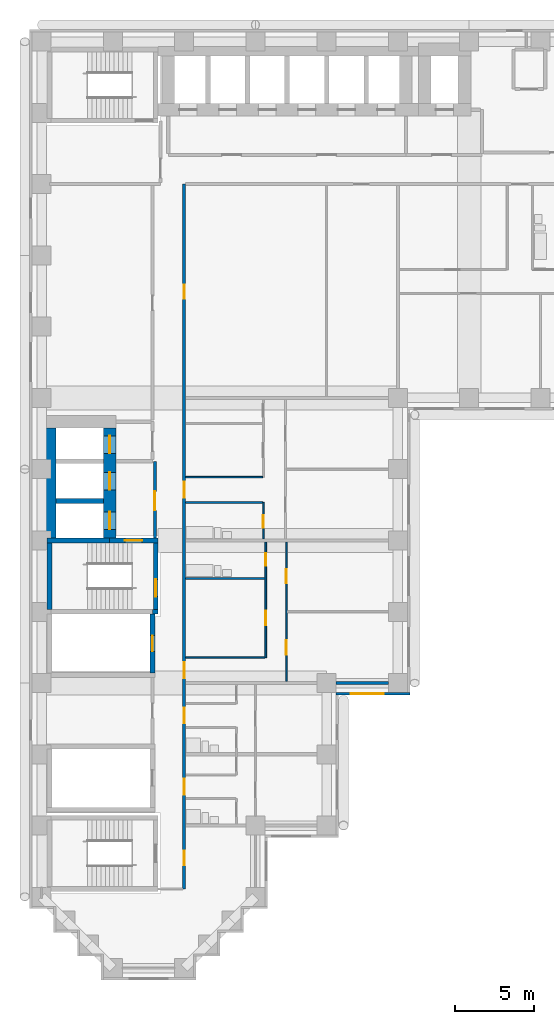
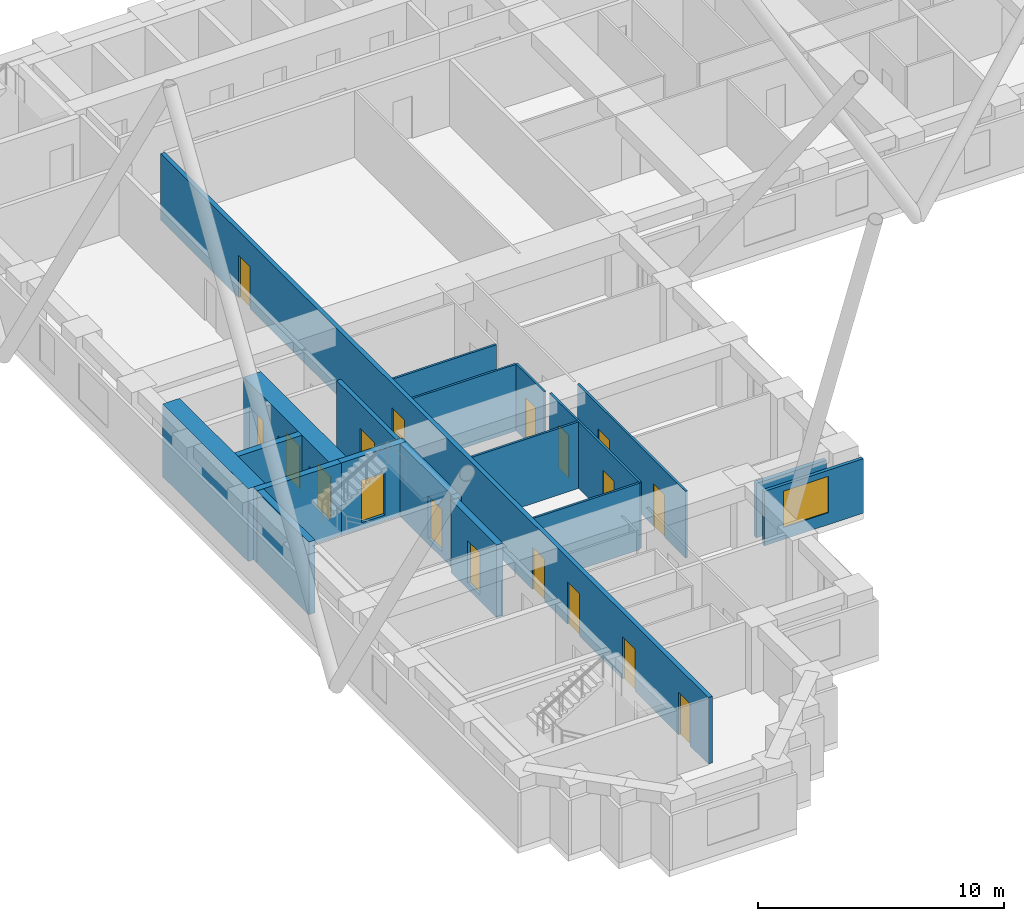
# One storey, part 9 of 20: 20 walls, 18 doors, 1 window, 19 openings.
"""IFC4 building model written with IfcOpenShell, lengths in metres."""

from ifc_helpers import new_model, si_unit, direction, frame, frame_2d, origin, place, context, subcontext, project, spatial, rectangle, extrude, material, layer, layer_set, type_object, element, fill, save


model = new_model("IFC4")

# Units and contexts
model_context = context("Model", 3, precision=1e-05, world=origin(), true_north=direction((0.0, 1.0)))
body_context = subcontext(model_context, "Body", "Model", "MODEL_VIEW")
ifc_project = project(units=[si_unit("LENGTHUNIT", "METRE"), si_unit("AREAUNIT", "SQUARE_METRE"), si_unit("VOLUMEUNIT", "CUBIC_METRE"), si_unit("PLANEANGLEUNIT", "RADIAN"), si_unit("MASSUNIT", "GRAM", prefix="KILO")], contexts=[model_context])

# Site, building, storey
site_placement = place(None, origin())
site = spatial("IfcSite", under=ifc_project, at=site_placement, CompositionType="ELEMENT")
building_placement = place(site_placement, origin())
building = spatial("IfcBuilding", under=site, at=building_placement, Name="Firuza Court", CompositionType="ELEMENT")
storey_placement = place(building_placement, frame((0.0, 0.0, 29.0)))
storey = spatial("IfcBuildingStorey", under=building, at=storey_placement, Name="L05", CompositionType="ELEMENT", Elevation=29.0)

# Walls
ifc_material_1 = material(Name="Moisture-resistant gypsum board partition")
ifc_layer_1 = layer(ifc_material_1, 0.10009765625)
ifc_layer_set_1 = layer_set([ifc_layer_1], Name="Moisture-resistant gypsum board partition")
wall_type_1 = type_object("IfcWallType", Name="Bathroom partition 100", PredefinedType="PLUMBINGWALL", material=ifc_layer_set_1)
wall_1_placement = place(storey_placement, frame((9.10009765625, 24.60009765625, 0.0), z_axis=(0.0, 0.0, 1.0), x_axis=(1.0, 0.0, 0.0)))
element("IfcWall", 1, at=wall_1_placement, inside=storey, type_object=wall_type_1, Name="Bathroom partition 100 L05", PredefinedType="PLUMBINGWALL", context=body_context, shape_type="SweptSolid", body=[
    extrude(rectangle(XDim=5.0, YDim=0.10009765625, at=frame_2d((2.5, 0.0))), origin(), (0.0, 0.0, 1.0), 3.300048828125),
])
wall_2_placement = place(storey_placement, frame((9.10009765625, 29.39990234375, 0.0), z_axis=(0.0, 0.0, 1.0), x_axis=(1.0, 0.0, 0.0)))
element("IfcWall", 2, at=wall_2_placement, inside=storey, type_object=wall_type_1, Name="Bathroom partition 100 L05", PredefinedType="PLUMBINGWALL", context=body_context, shape_type="SweptSolid", body=[
    extrude(rectangle(XDim=4.849853515625, YDim=0.10009765625, at=frame_2d((2.4248046875, 0.0))), origin(), (0.0, 0.0, 1.0), 3.300048828125),
])
ifc_material_2 = material(Name="Concrete C60/75", Category="concrete")
ifc_layer_2 = layer(ifc_material_2, 0.300048828125)
ifc_layer_set_2 = layer_set([ifc_layer_2], Name="Concrete C60/75")
wall_type_2 = type_object("IfcWallType", Name="Core wall 300 C60/75", PredefinedType="SHEAR", material=ifc_layer_set_2)
wall_3_placement = place(storey_placement, frame((0.35009765625, 27.0, -0.300048828125), z_axis=(0.0, 0.0, 1.0), x_axis=(1.0, 0.0, 0.0)))
element("IfcWall", 3, at=wall_3_placement, inside=storey, type_object=wall_type_2, Name="Core wall lift shaft L05", PredefinedType="SHEAR", context=body_context, shape_type="SweptSolid", body=[
    extrude(rectangle(XDim=3.949951171875, YDim=0.300048828125, at=frame_2d((1.97509765625, 0.0))), origin(), (0.0, 0.0, 1.0), 3.60009765625),
])
wall_4_placement = place(storey_placement, frame((0.5, 22.64990234375, -0.300048828125), z_axis=(0.0, 0.0, 1.0), x_axis=(0.0, 1.0, 0.0)))
element("IfcWall", 4, at=wall_4_placement, inside=storey, type_object=wall_type_2, Name="Core wall stair L05", PredefinedType="SHEAR", context=body_context, shape_type="SweptSolid", body=[
    extrude(rectangle(XDim=4.2001953125, YDim=0.300048828125, at=frame_2d((2.10009765625, 0.0))), origin(), (0.0, 0.0, 1.0), 3.60009765625),
])
wall_5_placement = place(storey_placement, frame((0.89990234375, 29.5, -0.300048828125), z_axis=(0.0, 0.0, 1.0), x_axis=(1.0, 0.0, 0.0)))
element("IfcWall", 5, at=wall_5_placement, inside=storey, type_object=wall_type_2, Name="Core wall lift shaft L05", PredefinedType="SHEAR", context=body_context, shape_type="SweptSolid", body=[
    extrude(rectangle(XDim=3.0, YDim=0.300048828125, at=frame_2d((1.5, 0.0))), origin(), (0.0, 0.0, 1.0), 3.60009765625),
])

# Wall, opening, door
wall_6_placement = place(storey_placement, frame((4.300048828125, 27.0, -0.300048828125), z_axis=(0.0, 0.0, 1.0), x_axis=(1.0, 0.0, 0.0)))
wall_6 = element("IfcWall", 6, at=wall_6_placement, inside=storey, type_object=wall_type_2, Name="Core wall stair L05", PredefinedType="SHEAR", context=body_context, shape_type="SweptSolid", body=[
    extrude(rectangle(XDim=3.050048828125, YDim=0.300048828125, at=frame_2d((1.52490234375, 0.0))), origin(), (0.0, 0.0, 1.0), 3.60009765625),
])
opening_1_placement = place(wall_6_placement, frame((0.949951171875, 0.0, 0.300048828125)))
opening_1 = element("IfcOpeningElement", 7, at=opening_1_placement, cuts=wall_6, Name="Opening D05014", PredefinedType="OPENING", context=body_context, shape_type="SweptSolid", body=[
    extrude(rectangle(XDim=1.10009765625, YDim=2.10009765625, at=frame_2d((0.550048828125, 1.050048828125))), frame((0.0, 0.162109375, 0.0), z_axis=(0.0, -1.0, 0.0), x_axis=(1.0, 0.0, 0.0)), (0.0, 0.0, 1.0), 0.323974609375),
])
ifc_material_3 = material(Name="Timber door leaf in hardwood frame", Category="wood")
door_type_1 = type_object("IfcDoorType", Name="Stair door 1100", OperationType="SINGLE_SWING_LEFT", PredefinedType="DOOR", material=ifc_material_3)
door_1_placement = place(opening_1_placement, frame((1.10009765625, 0.0, 0.0), z_axis=(0.0, 0.0, 1.0), x_axis=(-1.0, 0.0, 0.0)))
door_1 = element("IfcDoor", 8, at=door_1_placement, inside=storey, type_object=door_type_1, Name="Fire-fighting lobby door", OperationType="SINGLE_SWING_LEFT", OverallHeight=2.10009765625, OverallWidth=1.10009765625, PredefinedType="DOOR", context=body_context, shape_type="SweptSolid", body=[
    extrude(rectangle(XDim=1.10009765625, YDim=2.10009765625, at=frame_2d((0.550048828125, 1.050048828125))), frame((0.0, 0.02490234375, 0.0), z_axis=(0.0, -1.0, 0.0), x_axis=(1.0, 0.0, 0.0)), (0.0, 0.0, 1.0), 0.050048828125),
])
fill(opening_1, door_1)

wall_7_placement = place(storey_placement, frame((7.0, 18.64990234375, -0.300048828125), z_axis=(0.0, 0.0, 1.0), x_axis=(0.0, 1.0, 0.0)))
wall_7 = element("IfcWall", 9, at=wall_7_placement, inside=storey, type_object=wall_type_2, Name="Core wall riser L05", PredefinedType="SHEAR", context=body_context, shape_type="SweptSolid", body=[
    extrude(rectangle(XDim=3.7001953125, YDim=0.300048828125, at=frame_2d((1.85009765625, 0.0))), origin(), (0.0, 0.0, 1.0), 3.60009765625),
])
opening_2_placement = place(wall_7_placement, frame((1.35009765625, 0.0, 0.300048828125)))
opening_2 = element("IfcOpeningElement", 10, at=opening_2_placement, cuts=wall_7, Name="Opening D05010", PredefinedType="OPENING", context=body_context, shape_type="SweptSolid", body=[
    extrude(rectangle(XDim=1.0, YDim=2.10009765625, at=frame_2d((0.5, 1.050048828125))), frame((0.0, 0.162109375, 0.0), z_axis=(0.0, -1.0, 0.0), x_axis=(1.0, 0.0, 0.0)), (0.0, 0.0, 1.0), 0.323974609375),
])
ifc_material_4 = material(Name="Timber door leaf in hardwood frame", Category="wood")
door_type_2 = type_object("IfcDoorType", Name="Riser door 1000", OperationType="SINGLE_SWING_LEFT", PredefinedType="DOOR", material=ifc_material_4)
door_2_placement = place(opening_2_placement, origin())
door_2 = element("IfcDoor", 11, at=door_2_placement, inside=storey, type_object=door_type_2, Name="Riser door R1", OperationType="SINGLE_SWING_LEFT", OverallHeight=2.10009765625, OverallWidth=1.0, PredefinedType="DOOR", context=body_context, shape_type="SweptSolid", body=[
    extrude(rectangle(XDim=1.0, YDim=2.10009765625, at=frame_2d((0.5, 1.050048828125))), frame((0.0, 0.02490234375, 0.0), z_axis=(0.0, -1.0, 0.0), x_axis=(1.0, 0.0, 0.0)), (0.0, 0.0, 1.0), 0.050048828125),
])
fill(opening_2, door_2)

# Wall
wall_8_placement = place(storey_placement, frame((7.0, 22.5, -0.300048828125), z_axis=(0.0, 0.0, 1.0), x_axis=(1.0, 0.0, 0.0)))
element("IfcWall", 12, at=wall_8_placement, inside=storey, type_object=wall_type_2, Name="Core wall stair L05", PredefinedType="SHEAR", context=body_context, shape_type="SweptSolid", body=[
    extrude(rectangle(XDim=0.35009765625, YDim=0.300048828125, at=frame_2d((0.175048828125, 0.0))), origin(), (0.0, 0.0, 1.0), 3.60009765625),
])

# Wall, opening, door
wall_9_placement = place(storey_placement, frame((7.199951171875, 22.64990234375, -0.300048828125), z_axis=(0.0, 0.0, 1.0), x_axis=(0.0, 1.0, 0.0)))
wall_9 = element("IfcWall", 13, at=wall_9_placement, inside=storey, type_object=wall_type_2, Name="Core wall stair L05", PredefinedType="SHEAR", context=body_context, shape_type="SweptSolid", body=[
    extrude(rectangle(XDim=4.2001953125, YDim=0.300048828125, at=frame_2d((2.10009765625, 0.0))), origin(), (0.0, 0.0, 1.0), 3.60009765625),
])
opening_3_placement = place(wall_9_placement, frame((0.800048828125, 0.0, 0.300048828125)))
opening_3 = element("IfcOpeningElement", 14, at=opening_3_placement, cuts=wall_9, Name="Opening D05015", PredefinedType="OPENING", context=body_context, shape_type="SweptSolid", body=[
    extrude(rectangle(XDim=1.10009765625, YDim=2.10009765625, at=frame_2d((0.550048828125, 1.050048828125))), frame((0.0, 0.162109375, 0.0), z_axis=(0.0, -1.0, 0.0), x_axis=(1.0, 0.0, 0.0)), (0.0, 0.0, 1.0), 0.323974609375),
])
door_3_placement = place(opening_3_placement, origin())
door_3 = element("IfcDoor", 15, at=door_3_placement, inside=storey, type_object=door_type_1, Name="Stair door S2", OperationType="SINGLE_SWING_LEFT", OverallHeight=2.10009765625, OverallWidth=1.10009765625, PredefinedType="DOOR", context=body_context, shape_type="SweptSolid", body=[
    extrude(rectangle(XDim=1.10009765625, YDim=2.10009765625, at=frame_2d((0.550048828125, 1.050048828125))), frame((0.0, 0.02490234375, 0.0), z_axis=(0.0, -1.0, 0.0), x_axis=(1.0, 0.0, 0.0)), (0.0, 0.0, 1.0), 0.050048828125),
])
fill(opening_3, door_3)

# Wall
ifc_layer_3 = layer(ifc_material_2, 0.800048828125)
ifc_layer_set_3 = layer_set([ifc_layer_3], Name="Concrete C60/75")
wall_type_3 = type_object("IfcWallType", Name="Core wall 800 C60/75", PredefinedType="SHEAR", material=ifc_layer_set_3)
wall_10_placement = place(storey_placement, frame((0.5, 27.14990234375, -0.300048828125), z_axis=(0.0, 0.0, 1.0), x_axis=(0.0, 1.0, 0.0)))
element("IfcWall", 16, at=wall_10_placement, inside=storey, type_object=wall_type_3, Name="Core wall lift shaft L05", PredefinedType="SHEAR", context=body_context, shape_type="SweptSolid", body=[
    extrude(rectangle(XDim=6.9501953125, YDim=0.800048828125, at=frame_2d((3.47509765625, 0.0))), origin(), (0.0, 0.0, 1.0), 3.60009765625),
])

# Wall, openings, doors
wall_11_placement = place(storey_placement, frame((4.300048828125, 27.14990234375, -0.300048828125), z_axis=(0.0, 0.0, 1.0), x_axis=(0.0, 1.0, 0.0)))
wall_11 = element("IfcWall", 17, at=wall_11_placement, inside=storey, type_object=wall_type_3, Name="Core wall lift shaft L05", PredefinedType="SHEAR", context=body_context, shape_type="SweptSolid", body=[
    extrude(rectangle(XDim=6.9501953125, YDim=0.800048828125, at=frame_2d((3.47509765625, 0.0))), origin(), (0.0, 0.0, 1.0), 3.60009765625),
])
opening_4_placement = place(wall_11_placement, frame((3.050048828125, 0.0, 0.300048828125)))
opening_4 = element("IfcOpeningElement", 18, at=opening_4_placement, cuts=wall_11, Name="Opening LD-FL1-05", PredefinedType="OPENING", context=body_context, shape_type="SweptSolid", body=[
    extrude(rectangle(XDim=1.10009765625, YDim=2.10009765625, at=frame_2d((0.550048828125, 1.050048828125))), frame((0.0, 0.412109375, 0.0), z_axis=(0.0, -1.0, 0.0), x_axis=(1.0, 0.0, 0.0)), (0.0, 0.0, 1.0), 0.823974609375),
])
opening_5_placement = place(wall_11_placement, frame((0.550048828125, 0.0, 0.300048828125)))
opening_5 = element("IfcOpeningElement", 19, at=opening_5_placement, cuts=wall_11, Name="Opening LD-FL2-05", PredefinedType="OPENING", context=body_context, shape_type="SweptSolid", body=[
    extrude(rectangle(XDim=1.10009765625, YDim=2.10009765625, at=frame_2d((0.550048828125, 1.050048828125))), frame((0.0, 0.412109375, 0.0), z_axis=(0.0, -1.0, 0.0), x_axis=(1.0, 0.0, 0.0)), (0.0, 0.0, 1.0), 0.823974609375),
])
opening_6_placement = place(wall_11_placement, frame((5.35009765625, 0.0, 0.300048828125)))
opening_6 = element("IfcOpeningElement", 20, at=opening_6_placement, cuts=wall_11, Name="Opening LD-SL1-05", PredefinedType="OPENING", context=body_context, shape_type="SweptSolid", body=[
    extrude(rectangle(XDim=1.10009765625, YDim=2.10009765625, at=frame_2d((0.550048828125, 1.050048828125))), frame((0.0, 0.412109375, 0.0), z_axis=(0.0, -1.0, 0.0), x_axis=(1.0, 0.0, 0.0)), (0.0, 0.0, 1.0), 0.823974609375),
])
ifc_material_5 = material(Name="Stainless steel 1.4301 door leaf", Category="steel")
door_type_3 = type_object("IfcDoorType", Name="Lift landing door 1100", OperationType="SLIDING_TO_LEFT", PredefinedType="DOOR", material=ifc_material_5)
door_4_placement = place(opening_4_placement, origin())
door_4 = element("IfcDoor", 21, at=door_4_placement, inside=storey, type_object=door_type_3, Name="Landing door FL1", OperationType="SLIDING_TO_LEFT", OverallHeight=2.10009765625, OverallWidth=1.10009765625, PredefinedType="DOOR", context=body_context, shape_type="SweptSolid", body=[
    extrude(rectangle(XDim=1.10009765625, YDim=2.10009765625, at=frame_2d((0.550048828125, 1.050048828125))), frame((0.0, 0.02490234375, 0.0), z_axis=(0.0, -1.0, 0.0), x_axis=(1.0, 0.0, 0.0)), (0.0, 0.0, 1.0), 0.050048828125),
])
fill(opening_4, door_4)
door_5_placement = place(opening_5_placement, origin())
door_5 = element("IfcDoor", 22, at=door_5_placement, inside=storey, type_object=door_type_3, Name="Landing door FL2", OperationType="SLIDING_TO_LEFT", OverallHeight=2.10009765625, OverallWidth=1.10009765625, PredefinedType="DOOR", context=body_context, shape_type="SweptSolid", body=[
    extrude(rectangle(XDim=1.10009765625, YDim=2.10009765625, at=frame_2d((0.550048828125, 1.050048828125))), frame((0.0, 0.02490234375, 0.0), z_axis=(0.0, -1.0, 0.0), x_axis=(1.0, 0.0, 0.0)), (0.0, 0.0, 1.0), 0.050048828125),
])
fill(opening_5, door_5)
door_6_placement = place(opening_6_placement, origin())
door_6 = element("IfcDoor", 23, at=door_6_placement, inside=storey, type_object=door_type_3, Name="Landing door SL1", OperationType="SLIDING_TO_LEFT", OverallHeight=2.10009765625, OverallWidth=1.10009765625, PredefinedType="DOOR", context=body_context, shape_type="SweptSolid", body=[
    extrude(rectangle(XDim=1.10009765625, YDim=2.10009765625, at=frame_2d((0.550048828125, 1.050048828125))), frame((0.0, 0.02490234375, 0.0), z_axis=(0.0, -1.0, 0.0), x_axis=(1.0, 0.0, 0.0)), (0.0, 0.0, 1.0), 0.050048828125),
])
fill(opening_6, door_6)

ifc_material_6 = material(Name="Blockwork, plastered both sides", Category="masonry")
ifc_layer_4 = layer(ifc_material_6, 0.199951171875)
ifc_layer_set_4 = layer_set([ifc_layer_4], Name="Blockwork, plastered both sides")
wall_type_4 = type_object("IfcWallType", Name="Corridor wall 200", PredefinedType="PARTITIONING", material=ifc_layer_set_4)
wall_12_placement = place(storey_placement, frame((9.0, 5.0, 0.0), z_axis=(0.0, 0.0, 1.0), x_axis=(0.0, 1.0, 0.0)))
wall_12 = element("IfcWall", 24, at=wall_12_placement, inside=storey, type_object=wall_type_4, Name="Corridor wall 200 L05", PredefinedType="PARTITIONING", context=body_context, shape_type="SweptSolid", body=[
    extrude(rectangle(XDim=44.5, YDim=0.199951171875, at=frame_2d((22.25, 0.0))), origin(), (0.0, 0.0, 1.0), 3.300048828125),
])
opening_7_placement = place(wall_12_placement, frame((24.699951171875, 0.0, 0.0)))
opening_7 = element("IfcOpeningElement", 25, at=opening_7_placement, cuts=wall_12, Name="Opening D05019", PredefinedType="OPENING", context=body_context, shape_type="SweptSolid", body=[
    extrude(rectangle(XDim=1.0, YDim=2.10009765625, at=frame_2d((0.5, 1.050048828125))), frame((0.0, 0.11181640625, 0.0), z_axis=(0.0, -1.0, 0.0), x_axis=(1.0, 0.0, 0.0)), (0.0, 0.0, 1.0), 0.223876953125),
])
opening_8_placement = place(wall_12_placement, frame((13.300048828125, 0.0, 0.0)))
opening_8 = element("IfcOpeningElement", 26, at=opening_8_placement, cuts=wall_12, Name="Opening D05020", PredefinedType="OPENING", context=body_context, shape_type="SweptSolid", body=[
    extrude(rectangle(XDim=1.0, YDim=2.10009765625, at=frame_2d((0.5, 1.050048828125))), frame((0.0, 0.11181640625, 0.0), z_axis=(0.0, -1.0, 0.0), x_axis=(1.0, 0.0, 0.0)), (0.0, 0.0, 1.0), 0.223876953125),
])
opening_9_placement = place(wall_12_placement, frame((10.449951171875, 0.0, 0.0)))
opening_9 = element("IfcOpeningElement", 27, at=opening_9_placement, cuts=wall_12, Name="Opening D05021", PredefinedType="OPENING", context=body_context, shape_type="SweptSolid", body=[
    extrude(rectangle(XDim=1.0, YDim=2.10009765625, at=frame_2d((0.5, 1.050048828125))), frame((0.0, 0.11181640625, 0.0), z_axis=(0.0, -1.0, 0.0), x_axis=(1.0, 0.0, 0.0)), (0.0, 0.0, 1.0), 0.223876953125),
])
opening_10_placement = place(wall_12_placement, frame((5.949951171875, 0.0, 0.0)))
opening_10 = element("IfcOpeningElement", 28, at=opening_10_placement, cuts=wall_12, Name="Opening D05022", PredefinedType="OPENING", context=body_context, shape_type="SweptSolid", body=[
    extrude(rectangle(XDim=1.0, YDim=2.10009765625, at=frame_2d((0.5, 1.050048828125))), frame((0.0, 0.11181640625, 0.0), z_axis=(0.0, -1.0, 0.0), x_axis=(1.0, 0.0, 0.0)), (0.0, 0.0, 1.0), 0.223876953125),
])
opening_11_placement = place(wall_12_placement, frame((37.25, 0.0, 0.0)))
opening_11 = element("IfcOpeningElement", 29, at=opening_11_placement, cuts=wall_12, Name="Opening D05023", PredefinedType="OPENING", context=body_context, shape_type="SweptSolid", body=[
    extrude(rectangle(XDim=0.89990234375, YDim=2.10009765625, at=frame_2d((0.449951171875, 1.050048828125))), frame((0.0, 0.11181640625, 0.0), z_axis=(0.0, -1.0, 0.0), x_axis=(1.0, 0.0, 0.0)), (0.0, 0.0, 1.0), 0.223876953125),
])
opening_12_placement = place(wall_12_placement, frame((1.5, 0.0, 0.0)))
opening_12 = element("IfcOpeningElement", 30, at=opening_12_placement, cuts=wall_12, Name="Opening D05024", PredefinedType="OPENING", context=body_context, shape_type="SweptSolid", body=[
    extrude(rectangle(XDim=0.89990234375, YDim=2.10009765625, at=frame_2d((0.449951171875, 1.050048828125))), frame((0.0, 0.11181640625, 0.0), z_axis=(0.0, -1.0, 0.0), x_axis=(1.0, 0.0, 0.0)), (0.0, 0.0, 1.0), 0.223876953125),
])
ifc_material_7 = material(Name="Timber door leaf in hardwood frame", Category="wood")
door_type_4 = type_object("IfcDoorType", Name="Flat entrance door 1000", OperationType="SINGLE_SWING_LEFT", PredefinedType="DOOR", material=ifc_material_7)
door_7_placement = place(opening_7_placement, origin())
door_7 = element("IfcDoor", 31, at=door_7_placement, inside=storey, type_object=door_type_4, Name="Flat entrance door", OperationType="SINGLE_SWING_LEFT", OverallHeight=2.10009765625, OverallWidth=1.0, PredefinedType="DOOR", context=body_context, shape_type="SweptSolid", body=[
    extrude(rectangle(XDim=1.0, YDim=2.10009765625, at=frame_2d((0.5, 1.050048828125))), frame((0.0, 0.02490234375, 0.0), z_axis=(0.0, -1.0, 0.0), x_axis=(1.0, 0.0, 0.0)), (0.0, 0.0, 1.0), 0.050048828125),
])
fill(opening_7, door_7)
door_8_placement = place(opening_8_placement, origin())
door_8 = element("IfcDoor", 32, at=door_8_placement, inside=storey, type_object=door_type_4, Name="Flat entrance door", OperationType="SINGLE_SWING_LEFT", OverallHeight=2.10009765625, OverallWidth=1.0, PredefinedType="DOOR", context=body_context, shape_type="SweptSolid", body=[
    extrude(rectangle(XDim=1.0, YDim=2.10009765625, at=frame_2d((0.5, 1.050048828125))), frame((0.0, 0.02490234375, 0.0), z_axis=(0.0, -1.0, 0.0), x_axis=(1.0, 0.0, 0.0)), (0.0, 0.0, 1.0), 0.050048828125),
])
fill(opening_8, door_8)
door_9_placement = place(opening_9_placement, origin())
door_9 = element("IfcDoor", 33, at=door_9_placement, inside=storey, type_object=door_type_4, Name="Flat entrance door", OperationType="SINGLE_SWING_LEFT", OverallHeight=2.10009765625, OverallWidth=1.0, PredefinedType="DOOR", context=body_context, shape_type="SweptSolid", body=[
    extrude(rectangle(XDim=1.0, YDim=2.10009765625, at=frame_2d((0.5, 1.050048828125))), frame((0.0, 0.02490234375, 0.0), z_axis=(0.0, -1.0, 0.0), x_axis=(1.0, 0.0, 0.0)), (0.0, 0.0, 1.0), 0.050048828125),
])
fill(opening_9, door_9)
door_10_placement = place(opening_10_placement, origin())
door_10 = element("IfcDoor", 34, at=door_10_placement, inside=storey, type_object=door_type_4, Name="Flat entrance door", OperationType="SINGLE_SWING_LEFT", OverallHeight=2.10009765625, OverallWidth=1.0, PredefinedType="DOOR", context=body_context, shape_type="SweptSolid", body=[
    extrude(rectangle(XDim=1.0, YDim=2.10009765625, at=frame_2d((0.5, 1.050048828125))), frame((0.0, 0.02490234375, 0.0), z_axis=(0.0, -1.0, 0.0), x_axis=(1.0, 0.0, 0.0)), (0.0, 0.0, 1.0), 0.050048828125),
])
fill(opening_10, door_10)
ifc_material_8 = material(Name="Timber door leaf in hardwood frame", Category="wood")
door_type_5 = type_object("IfcDoorType", Name="Room door 900 EI 30", OperationType="SINGLE_SWING_LEFT", PredefinedType="DOOR", material=ifc_material_8)
door_11_placement = place(opening_11_placement, origin())
door_11 = element("IfcDoor", 35, at=door_11_placement, inside=storey, type_object=door_type_5, Name="Residents' lounge door", OperationType="SINGLE_SWING_LEFT", OverallHeight=2.10009765625, OverallWidth=0.89990234375, PredefinedType="DOOR", context=body_context, shape_type="SweptSolid", body=[
    extrude(rectangle(XDim=0.89990234375, YDim=2.10009765625, at=frame_2d((0.449951171875, 1.050048828125))), frame((0.0, 0.02490234375, 0.0), z_axis=(0.0, -1.0, 0.0), x_axis=(1.0, 0.0, 0.0)), (0.0, 0.0, 1.0), 0.050048828125),
])
fill(opening_11, door_11)
door_12_placement = place(opening_12_placement, frame((0.89990234375, 0.0, 0.0), z_axis=(0.0, 0.0, 1.0), x_axis=(-1.0, 0.0, 0.0)))
door_12 = element("IfcDoor", 36, at=door_12_placement, inside=storey, type_object=door_type_5, Name="Music room door", OperationType="SINGLE_SWING_LEFT", OverallHeight=2.10009765625, OverallWidth=0.89990234375, PredefinedType="DOOR", context=body_context, shape_type="SweptSolid", body=[
    extrude(rectangle(XDim=0.89990234375, YDim=2.10009765625, at=frame_2d((0.449951171875, 1.050048828125))), frame((0.0, 0.02490234375, 0.0), z_axis=(0.0, -1.0, 0.0), x_axis=(1.0, 0.0, 0.0)), (0.0, 0.0, 1.0), 0.050048828125),
])
fill(opening_12, door_12)

ifc_material_9 = material(Name="Timber stud partition, plasterboard both sides", Category="wood")
ifc_layer_5 = layer(ifc_material_9, 0.10009765625)
ifc_layer_set_5 = layer_set([ifc_layer_5], Name="Timber stud partition, plasterboard both sides")
wall_type_5 = type_object("IfcWallType", Name="Partition wall 100", PredefinedType="PARTITIONING", material=ifc_layer_set_5)
wall_13_placement = place(storey_placement, frame((15.449951171875, 18.10009765625, 0.0), z_axis=(0.0, 0.0, 1.0), x_axis=(0.0, 1.0, 0.0)))
wall_13 = element("IfcWall", 37, at=wall_13_placement, inside=storey, type_object=wall_type_5, Name="Partition wall 100 L05", PredefinedType="PARTITIONING", context=body_context, shape_type="SweptSolid", body=[
    extrude(rectangle(XDim=8.7998046875, YDim=0.10009765625, at=frame_2d((4.39990234375, 0.0))), origin(), (0.0, 0.0, 1.0), 3.300048828125),
])
opening_13_placement = place(wall_13_placement, frame((1.699951171875, 0.0, 0.0)))
opening_13 = element("IfcOpeningElement", 38, at=opening_13_placement, cuts=wall_13, Name="Opening D05032", PredefinedType="OPENING", context=body_context, shape_type="SweptSolid", body=[
    extrude(rectangle(XDim=0.89990234375, YDim=2.10009765625, at=frame_2d((0.449951171875, 1.050048828125))), frame((0.0, 0.06201171875, 0.0), z_axis=(0.0, -1.0, 0.0), x_axis=(1.0, 0.0, 0.0)), (0.0, 0.0, 1.0), 0.1240234375),
])
opening_14_placement = place(wall_13_placement, frame((6.199951171875, 0.0, 0.0)))
opening_14 = element("IfcOpeningElement", 39, at=opening_14_placement, cuts=wall_13, Name="Opening D05033", PredefinedType="OPENING", context=body_context, shape_type="SweptSolid", body=[
    extrude(rectangle(XDim=0.89990234375, YDim=2.10009765625, at=frame_2d((0.449951171875, 1.050048828125))), frame((0.0, 0.06201171875, 0.0), z_axis=(0.0, -1.0, 0.0), x_axis=(1.0, 0.0, 0.0)), (0.0, 0.0, 1.0), 0.1240234375),
])
ifc_material_10 = material(Name="Timber door leaf in hardwood frame", Category="wood")
door_type_6 = type_object("IfcDoorType", Name="Room door 900", OperationType="SINGLE_SWING_LEFT", PredefinedType="DOOR", material=ifc_material_10)
door_13_placement = place(opening_13_placement, frame((0.89990234375, 0.0, 0.0), z_axis=(0.0, 0.0, 1.0), x_axis=(-1.0, 0.0, 0.0)))
door_13 = element("IfcDoor", 40, at=door_13_placement, inside=storey, type_object=door_type_6, Name="Bedroom door", OperationType="SINGLE_SWING_RIGHT", OverallHeight=2.10009765625, OverallWidth=0.89990234375, PredefinedType="DOOR", context=body_context, shape_type="SweptSolid", body=[
    extrude(rectangle(XDim=0.89990234375, YDim=2.10009765625, at=frame_2d((0.449951171875, 1.050048828125))), frame((0.0, 0.02490234375, 0.0), z_axis=(0.0, -1.0, 0.0), x_axis=(1.0, 0.0, 0.0)), (0.0, 0.0, 1.0), 0.050048828125),
])
fill(opening_13, door_13)
door_14_placement = place(opening_14_placement, frame((0.89990234375, 0.0, 0.0), z_axis=(0.0, 0.0, 1.0), x_axis=(-1.0, 0.0, 0.0)))
door_14 = element("IfcDoor", 41, at=door_14_placement, inside=storey, type_object=door_type_6, Name="Living room door", OperationType="SINGLE_SWING_RIGHT", OverallHeight=2.10009765625, OverallWidth=0.89990234375, PredefinedType="DOOR", context=body_context, shape_type="SweptSolid", body=[
    extrude(rectangle(XDim=0.89990234375, YDim=2.10009765625, at=frame_2d((0.449951171875, 1.050048828125))), frame((0.0, 0.02490234375, 0.0), z_axis=(0.0, -1.0, 0.0), x_axis=(1.0, 0.0, 0.0)), (0.0, 0.0, 1.0), 0.050048828125),
])
fill(opening_14, door_14)

# Wall
wall_14_placement = place(storey_placement, frame((9.10009765625, 19.60009765625, 0.0), z_axis=(0.0, 0.0, 1.0), x_axis=(1.0, 0.0, 0.0)))
element("IfcWall", 42, at=wall_14_placement, inside=storey, type_object=wall_type_5, Name="Partition wall 100 L05", PredefinedType="PARTITIONING", context=body_context, shape_type="SweptSolid", body=[
    extrude(rectangle(XDim=5.0, YDim=0.10009765625, at=frame_2d((2.5, 0.0))), origin(), (0.0, 0.0, 1.0), 3.300048828125),
])

# Wall, openings, doors
wall_15_placement = place(storey_placement, frame((14.14990234375, 19.60009765625, 0.0), z_axis=(0.0, 0.0, 1.0), x_axis=(0.0, 1.0, 0.0)))
wall_15 = element("IfcWall", 43, at=wall_15_placement, inside=storey, type_object=wall_type_5, Name="Partition wall 100 L05", PredefinedType="PARTITIONING", context=body_context, shape_type="SweptSolid", body=[
    extrude(rectangle(XDim=7.2998046875, YDim=0.10009765625, at=frame_2d((3.64990234375, 0.0))), origin(), (0.0, 0.0, 1.0), 3.300048828125),
])
opening_15_placement = place(wall_15_placement, frame((5.800048828125, 0.0, 0.0)))
opening_15 = element("IfcOpeningElement", 44, at=opening_15_placement, cuts=wall_15, Name="Opening D05034", PredefinedType="OPENING", context=body_context, shape_type="SweptSolid", body=[
    extrude(rectangle(XDim=0.800048828125, YDim=2.10009765625, at=frame_2d((0.39990234375, 1.050048828125))), frame((0.0, 0.06201171875, 0.0), z_axis=(0.0, -1.0, 0.0), x_axis=(1.0, 0.0, 0.0)), (0.0, 0.0, 1.0), 0.1240234375),
])
opening_16_placement = place(wall_15_placement, frame((2.050048828125, 0.0, 0.0)))
opening_16 = element("IfcOpeningElement", 45, at=opening_16_placement, cuts=wall_15, Name="Opening D05035", PredefinedType="OPENING", context=body_context, shape_type="SweptSolid", body=[
    extrude(rectangle(XDim=0.89990234375, YDim=2.10009765625, at=frame_2d((0.449951171875, 1.050048828125))), frame((0.0, 0.06201171875, 0.0), z_axis=(0.0, -1.0, 0.0), x_axis=(1.0, 0.0, 0.0)), (0.0, 0.0, 1.0), 0.1240234375),
])
ifc_material_11 = material(Name="Timber door leaf in hardwood frame", Category="wood")
door_type_7 = type_object("IfcDoorType", Name="Bathroom door 800", OperationType="SINGLE_SWING_LEFT", PredefinedType="DOOR", material=ifc_material_11)
door_15_placement = place(opening_15_placement, origin())
door_15 = element("IfcDoor", 46, at=door_15_placement, inside=storey, type_object=door_type_7, Name="Bathroom door", OperationType="SINGLE_SWING_LEFT", OverallHeight=2.10009765625, OverallWidth=0.800048828125, PredefinedType="DOOR", context=body_context, shape_type="SweptSolid", body=[
    extrude(rectangle(XDim=0.800048828125, YDim=2.10009765625, at=frame_2d((0.39990234375, 1.050048828125))), frame((0.0, 0.02490234375, 0.0), z_axis=(0.0, -1.0, 0.0), x_axis=(1.0, 0.0, 0.0)), (0.0, 0.0, 1.0), 0.050048828125),
])
fill(opening_15, door_15)
door_16_placement = place(opening_16_placement, origin())
door_16 = element("IfcDoor", 47, at=door_16_placement, inside=storey, type_object=door_type_6, Name="Kitchen door", OperationType="SINGLE_SWING_LEFT", OverallHeight=2.10009765625, OverallWidth=0.89990234375, PredefinedType="DOOR", context=body_context, shape_type="SweptSolid", body=[
    extrude(rectangle(XDim=0.89990234375, YDim=2.10009765625, at=frame_2d((0.449951171875, 1.050048828125))), frame((0.0, 0.02490234375, 0.0), z_axis=(0.0, -1.0, 0.0), x_axis=(1.0, 0.0, 0.0)), (0.0, 0.0, 1.0), 0.050048828125),
])
fill(opening_16, door_16)

# Wall, opening, door
wall_16_placement = place(storey_placement, frame((14.0, 27.10009765625, 0.0), z_axis=(0.0, 0.0, 1.0), x_axis=(0.0, 1.0, 0.0)))
wall_16 = element("IfcWall", 48, at=wall_16_placement, inside=storey, type_object=wall_type_5, Name="Partition wall 100 L05", PredefinedType="PARTITIONING", context=body_context, shape_type="SweptSolid", body=[
    extrude(rectangle(XDim=2.2998046875, YDim=0.10009765625, at=frame_2d((1.14990234375, 0.0))), origin(), (0.0, 0.0, 1.0), 3.300048828125),
])
opening_17_placement = place(wall_16_placement, frame((0.699951171875, 0.0, 0.0)))
opening_17 = element("IfcOpeningElement", 49, at=opening_17_placement, cuts=wall_16, Name="Opening D05036", PredefinedType="OPENING", context=body_context, shape_type="SweptSolid", body=[
    extrude(rectangle(XDim=0.800048828125, YDim=2.10009765625, at=frame_2d((0.39990234375, 1.050048828125))), frame((0.0, 0.06201171875, 0.0), z_axis=(0.0, -1.0, 0.0), x_axis=(1.0, 0.0, 0.0)), (0.0, 0.0, 1.0), 0.1240234375),
])
door_17_placement = place(opening_17_placement, origin())
door_17 = element("IfcDoor", 50, at=door_17_placement, inside=storey, type_object=door_type_7, Name="Bathroom door", OperationType="SINGLE_SWING_LEFT", OverallHeight=2.10009765625, OverallWidth=0.800048828125, PredefinedType="DOOR", context=body_context, shape_type="SweptSolid", body=[
    extrude(rectangle(XDim=0.800048828125, YDim=2.10009765625, at=frame_2d((0.39990234375, 1.050048828125))), frame((0.0, 0.02490234375, 0.0), z_axis=(0.0, -1.0, 0.0), x_axis=(1.0, 0.0, 0.0)), (0.0, 0.0, 1.0), 0.050048828125),
])
fill(opening_17, door_17)

# Walls
wall_17_placement = place(storey_placement, frame((9.10009765625, 31.0, 0.0), z_axis=(0.0, 0.0, 1.0), x_axis=(1.0, 0.0, 0.0)))
element("IfcWall", 51, at=wall_17_placement, inside=storey, type_object=wall_type_5, Name="Partition wall 100 L05", PredefinedType="PARTITIONING", context=body_context, shape_type="SweptSolid", body=[
    extrude(rectangle(XDim=4.849853515625, YDim=0.10009765625, at=frame_2d((2.4248046875, 0.0))), origin(), (0.0, 0.0, 1.0), 3.300048828125),
])
ifc_layer_6 = layer(ifc_material_6, 0.199951171875)
ifc_layer_set_6 = layer_set([ifc_layer_6], Name="Blockwork, plastered both sides")
wall_type_6 = type_object("IfcWallType", Name="Party wall 200", PredefinedType="PARTITIONING", material=ifc_layer_set_6)
wall_18_placement = place(storey_placement, frame((18.60009765625, 18.0, 0.0), z_axis=(0.0, 0.0, 1.0), x_axis=(1.0, 0.0, 0.0)))
element("IfcWall", 52, at=wall_18_placement, inside=storey, type_object=wall_type_6, Name="Party wall 200 L05", PredefinedType="PARTITIONING", context=body_context, shape_type="SweptSolid", body=[
    extrude(rectangle(XDim=3.2998046875, YDim=0.199951171875, at=frame_2d((1.64990234375, 0.0))), origin(), (0.0, 0.0, 1.0), 2.699951171875),
])

# Wall, opening, window
ifc_material_12 = material(Name="Ceramic tile", Category="ceramic")
ifc_layer_7 = layer(ifc_material_12, 0.02001953125)
ifc_material_13 = material(Name="Mineral wool insulation", Category="insulation")
ifc_layer_8 = layer(ifc_material_13, 0.050048828125)
ifc_material_14 = material(Name="Concrete C40/50 precast", Category="concrete")
ifc_layer_9 = layer(ifc_material_14, 0.080078125)
ifc_layer_set_7 = layer_set([ifc_layer_7, ifc_layer_8, ifc_layer_9], Name="Concrete C40/50 precast")
wall_type_7 = type_object("IfcWallType", Name="Precast cladding wall with turquoise TILE PANEL face 150", PredefinedType="STANDARD", material=ifc_layer_set_7)
wall_19_placement = place(storey_placement, frame((18.60009765625, 17.324951171875, 0.0), z_axis=(0.0, 0.0, 1.0), x_axis=(1.0, 0.0, 0.0)))
wall_19 = element("IfcWall", 53, at=wall_19_placement, inside=storey, type_object=wall_type_7, Name="Facade wall L05 S", PredefinedType="STANDARD", context=body_context, shape_type="SweptSolid", body=[
    extrude(rectangle(XDim=4.64990234375, YDim=0.14990234375, at=frame_2d((2.324951171875, 0.0))), origin(), (0.0, 0.0, 1.0), 2.699951171875),
])
opening_18_placement = place(wall_19_placement, frame((0.907470703125, 0.0, 0.60009765625)))
opening_18 = element("IfcOpeningElement", 54, at=opening_18_placement, cuts=wall_19, Name="Opening W6", PredefinedType="OPENING", context=body_context, shape_type="SweptSolid", body=[
    extrude(rectangle(XDim=2.10009765625, YDim=1.800048828125, at=frame_2d((1.050048828125, 0.89990234375))), frame((0.0, 0.0869140625, 0.0), z_axis=(0.0, -1.0, 0.0), x_axis=(1.0, 0.0, 0.0)), (0.0, 0.0, 1.0), 0.173828125),
])
ifc_material_15 = material(Name="Aluminium frame, triple clear glazing", Category="aluminium")
window_type = type_object("IfcWindowType", Name="Window W6 2100 x 1800", PartitioningType="SINGLE_PANEL", PredefinedType="WINDOW", material=ifc_material_15)
window_placement = place(opening_18_placement, origin())
window = element("IfcWindow", 55, at=window_placement, inside=storey, type_object=window_type, Name="Window L05", OverallHeight=1.800048828125, OverallWidth=2.10009765625, PartitioningType="SINGLE_PANEL", PredefinedType="WINDOW", context=body_context, shape_type="SweptSolid", body=[
    extrude(rectangle(XDim=2.10009765625, YDim=1.800048828125, at=frame_2d((1.050048828125, 0.89990234375))), frame((0.0, 0.030029296875, 0.0), z_axis=(0.0, -1.0, 0.0), x_axis=(1.0, 0.0, 0.0)), (0.0, 0.0, 1.0), 0.06005859375),
])
fill(opening_18, window)

# Wall, opening, door
ifc_material_16 = material(Name="Blockwork, fire-rated", Category="masonry")
ifc_layer_10 = layer(ifc_material_16, 0.199951171875)
ifc_layer_set_8 = layer_set([ifc_layer_10], Name="Blockwork, fire-rated")
wall_type_8 = type_object("IfcWallType", Name="Shaft wall 200", PredefinedType="PARTITIONING", material=ifc_layer_set_8)
wall_20_placement = place(storey_placement, frame((7.14990234375, 27.169921875, 0.0), z_axis=(0.0, 0.0, 1.0), x_axis=(0.0, 1.0, 0.0)))
wall_20 = element("IfcWall", 56, at=wall_20_placement, inside=storey, type_object=wall_type_8, Name="Shaft wall 200 L05", PredefinedType="PARTITIONING", context=body_context, shape_type="SweptSolid", body=[
    extrude(rectangle(XDim=4.830078125, YDim=0.199951171875, at=frame_2d((2.4150390625, 0.0))), origin(), (0.0, 0.0, 1.0), 3.300048828125),
])
opening_19_placement = place(wall_20_placement, frame((1.72998046875, 0.0, 0.0)))
opening_19 = element("IfcOpeningElement", 57, at=opening_19_placement, cuts=wall_20, Name="Opening D05002", PredefinedType="OPENING", context=body_context, shape_type="SweptSolid", body=[
    extrude(rectangle(XDim=1.199951171875, YDim=2.10009765625, at=frame_2d((0.60009765625, 1.050048828125))), frame((0.0, 0.11181640625, 0.0), z_axis=(0.0, -1.0, 0.0), x_axis=(1.0, 0.0, 0.0)), (0.0, 0.0, 1.0), 0.223876953125),
])
ifc_material_17 = material(Name="Timber door leaf in hardwood frame", Category="wood")
door_type_8 = type_object("IfcDoorType", Name="Lobby door 1200", OperationType="SINGLE_SWING_LEFT", PredefinedType="DOOR", material=ifc_material_17)
door_18_placement = place(opening_19_placement, origin())
door_18 = element("IfcDoor", 58, at=door_18_placement, inside=storey, type_object=door_type_8, Name="Fire-fighting lobby door", OperationType="SINGLE_SWING_LEFT", OverallHeight=2.10009765625, OverallWidth=1.199951171875, PredefinedType="DOOR", context=body_context, shape_type="SweptSolid", body=[
    extrude(rectangle(XDim=1.199951171875, YDim=2.10009765625, at=frame_2d((0.60009765625, 1.050048828125))), frame((0.0, 0.02490234375, 0.0), z_axis=(0.0, -1.0, 0.0), x_axis=(1.0, 0.0, 0.0)), (0.0, 0.0, 1.0), 0.050048828125),
])
fill(opening_19, door_18)

save(model, "model.ifc")
